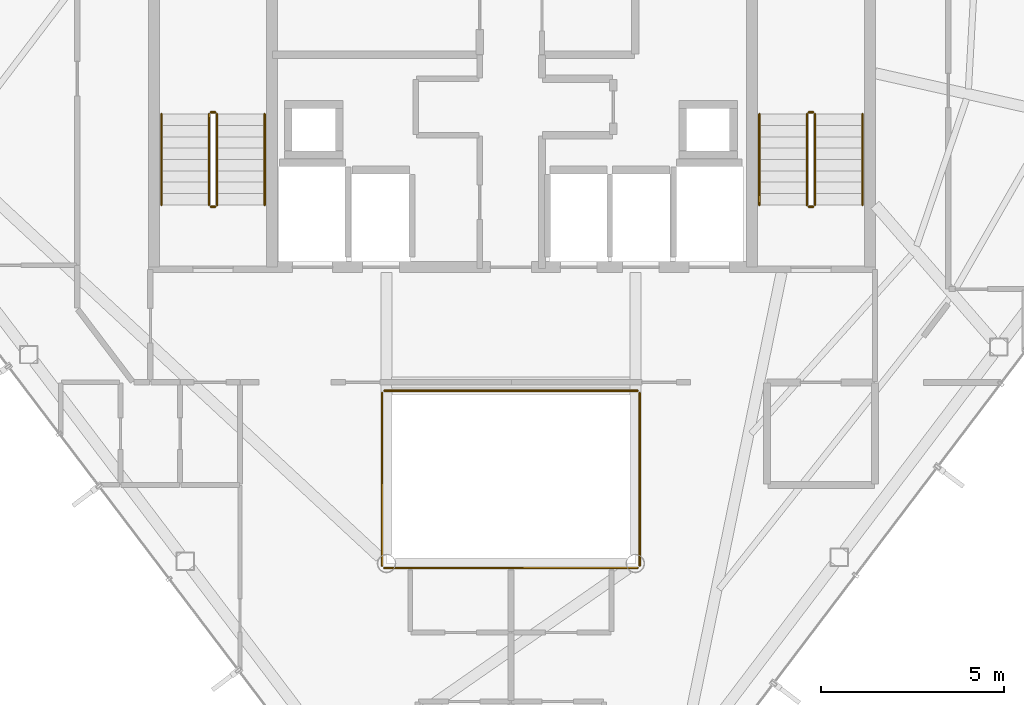
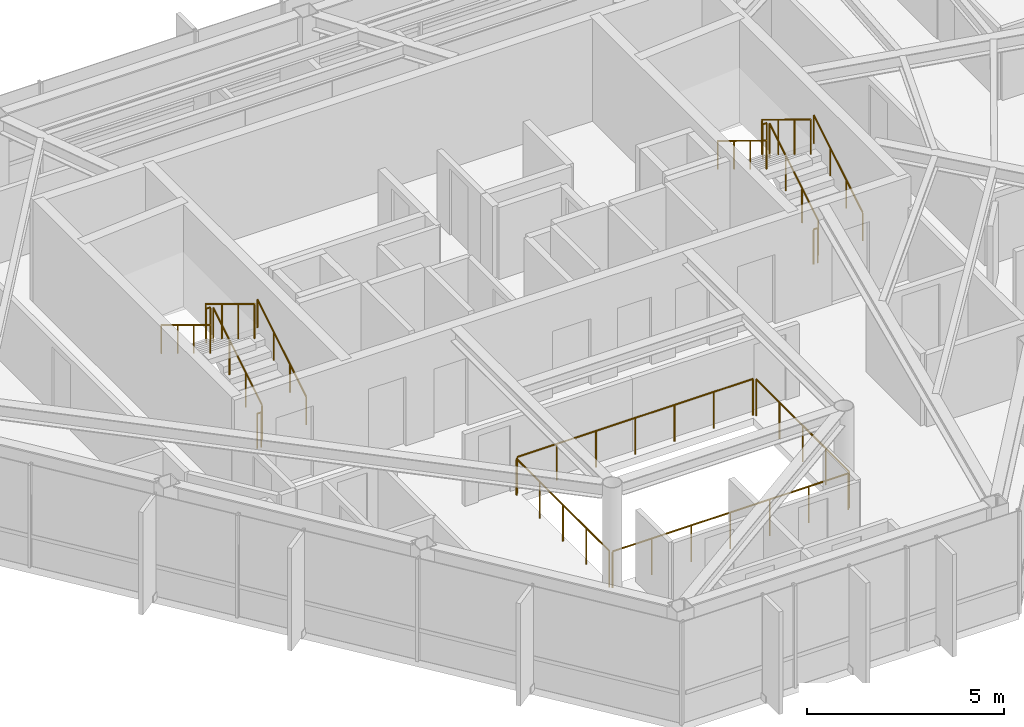
# One storey, part 25 of 25: 16 railings.
"""IFC4 building model written with IfcOpenShell, lengths in metres."""

from ifc_helpers import new_model, si_unit, direction, frame, origin, origin_2d, place, context, subcontext, project, spatial, circle, extrude, material, type_object, element, save


model = new_model("IFC4")

# Units and contexts
model_context = context("Model", 3, precision=1e-05, world=origin(), true_north=direction((0.0, 1.0)))
body_context = subcontext(model_context, "Body", "Model", "MODEL_VIEW")
ifc_project = project(units=[si_unit("LENGTHUNIT", "METRE"), si_unit("AREAUNIT", "SQUARE_METRE"), si_unit("VOLUMEUNIT", "CUBIC_METRE"), si_unit("PLANEANGLEUNIT", "RADIAN"), si_unit("MASSUNIT", "GRAM", prefix="KILO")], contexts=[model_context])

# Site, building, storey
site_placement = place(None, origin())
site = spatial("IfcSite", under=ifc_project, at=site_placement, CompositionType="ELEMENT")
building_placement = place(site_placement, origin())
building = spatial("IfcBuilding", under=site, at=building_placement, Name="Zarrinselat Tower", CompositionType="ELEMENT")
storey_placement = place(building_placement, frame((0.0, 0.0, 261.800048828125)))
storey = spatial("IfcBuildingStorey", under=building, at=storey_placement, Name="L66", CompositionType="ELEMENT", Elevation=261.800048828125)

# Railings
ifc_material_1 = material(Name="Double Low-E Laminated Solar Glass", Category="glass")
railing_type_1 = type_object("IfcRailingType", Name="RLG-ATRIUM-BAL", PredefinedType="BALUSTRADE", material=ifc_material_1)
railing_1_placement = place(storey_placement, frame((34.93994140625, 25.080078125, 0.0)))
element("IfcRailing", 1, at=railing_1_placement, inside=storey, type_object=railing_type_1, Name="L66 Atrium Void Glass Balustrade S", PredefinedType="BALUSTRADE", context=body_context, shape_type="SweptSolid", body=[
    extrude(circle(Radius=0.02392578125, at=origin_2d()), frame((0.0, 0.0, 1.1259765625), z_axis=(1.0, 0.0, 0.0), x_axis=(0.0, 1.0, 0.0)), (0.0, 0.0, 1.0), 6.920166015625),
    extrude(circle(Radius=0.02099609375, at=origin_2d()), origin(), (0.0, 0.0, 1.0), 1.099853515625),
    extrude(circle(Radius=0.02099609375, at=origin_2d()), frame((1.1533203125, 0.0, 0.0)), (0.0, 0.0, 1.0), 1.099853515625),
    extrude(circle(Radius=0.02099609375, at=origin_2d()), frame((2.306640625, 0.0, 0.0)), (0.0, 0.0, 1.0), 1.099853515625),
    extrude(circle(Radius=0.02099609375, at=origin_2d()), frame((3.4599609375, 0.0, 0.0)), (0.0, 0.0, 1.0), 1.099853515625),
    extrude(circle(Radius=0.02099609375, at=origin_2d()), frame((4.613525390625, 0.0, 0.0)), (0.0, 0.0, 1.0), 1.099853515625),
    extrude(circle(Radius=0.02099609375, at=origin_2d()), frame((5.766845703125, 0.0, 0.0)), (0.0, 0.0, 1.0), 1.099853515625),
    extrude(circle(Radius=0.02099609375, at=origin_2d()), frame((6.920166015625, 0.0, 0.0)), (0.0, 0.0, 1.0), 1.099853515625),
])
railing_2_placement = place(storey_placement, frame((41.919921875, 25.139892578125, 0.0)))
element("IfcRailing", 2, at=railing_2_placement, inside=storey, type_object=railing_type_1, Name="L66 Atrium Void Glass Balustrade E", PredefinedType="BALUSTRADE", context=body_context, shape_type="SweptSolid", body=[
    extrude(circle(Radius=0.02392578125, at=origin_2d()), frame((0.0, 0.0, 1.1259765625), z_axis=(0.0, 1.0, 0.0), x_axis=(-1.0, 0.0, 0.0)), (0.0, 0.0, 1.0), 4.72021484375),
    extrude(circle(Radius=0.02099609375, at=origin_2d()), origin(), (0.0, 0.0, 1.0), 1.099853515625),
    extrude(circle(Radius=0.02099609375, at=origin_2d()), frame((0.0, 1.18017578125, 0.0)), (0.0, 0.0, 1.0), 1.099853515625),
    extrude(circle(Radius=0.02099609375, at=origin_2d()), frame((0.0, 2.360107421875, 0.0)), (0.0, 0.0, 1.0), 1.099853515625),
    extrude(circle(Radius=0.02099609375, at=origin_2d()), frame((0.0, 3.5400390625, 0.0)), (0.0, 0.0, 1.0), 1.099853515625),
    extrude(circle(Radius=0.02099609375, at=origin_2d()), frame((0.0, 4.72021484375, 0.0)), (0.0, 0.0, 1.0), 1.099853515625),
])
railing_3_placement = place(storey_placement, frame((41.860107421875, 29.919921875, 0.0)))
element("IfcRailing", 3, at=railing_3_placement, inside=storey, type_object=railing_type_1, Name="L66 Atrium Void Glass Balustrade N", PredefinedType="BALUSTRADE", context=body_context, shape_type="SweptSolid", body=[
    extrude(circle(Radius=0.02392578125, at=origin_2d()), frame((0.0, 0.0, 1.1259765625), z_axis=(-1.0, 0.0, 0.0), x_axis=(0.0, -1.0, 0.0)), (0.0, 0.0, 1.0), 6.920166015625),
    extrude(circle(Radius=0.02099609375, at=origin_2d()), origin(), (0.0, 0.0, 1.0), 1.099853515625),
    extrude(circle(Radius=0.02099609375, at=origin_2d()), frame((-1.1533203125, 0.0, 0.0)), (0.0, 0.0, 1.0), 1.099853515625),
    extrude(circle(Radius=0.02099609375, at=origin_2d()), frame((-2.306640625, 0.0, 0.0)), (0.0, 0.0, 1.0), 1.099853515625),
    extrude(circle(Radius=0.02099609375, at=origin_2d()), frame((-3.4599609375, 0.0, 0.0)), (0.0, 0.0, 1.0), 1.099853515625),
    extrude(circle(Radius=0.02099609375, at=origin_2d()), frame((-4.613525390625, 0.0, 0.0)), (0.0, 0.0, 1.0), 1.099853515625),
    extrude(circle(Radius=0.02099609375, at=origin_2d()), frame((-5.766845703125, 0.0, 0.0)), (0.0, 0.0, 1.0), 1.099853515625),
    extrude(circle(Radius=0.02099609375, at=origin_2d()), frame((-6.920166015625, 0.0, 0.0)), (0.0, 0.0, 1.0), 1.099853515625),
])
railing_4_placement = place(storey_placement, frame((34.8798828125, 29.860107421875, 0.0)))
element("IfcRailing", 4, at=railing_4_placement, inside=storey, type_object=railing_type_1, Name="L66 Atrium Void Glass Balustrade W", PredefinedType="BALUSTRADE", context=body_context, shape_type="SweptSolid", body=[
    extrude(circle(Radius=0.02392578125, at=origin_2d()), frame((0.0, 0.0, 1.1259765625), z_axis=(0.0, -1.0, 0.0), x_axis=(1.0, 0.0, 0.0)), (0.0, 0.0, 1.0), 4.72021484375),
    extrude(circle(Radius=0.02099609375, at=origin_2d()), origin(), (0.0, 0.0, 1.0), 1.099853515625),
    extrude(circle(Radius=0.02099609375, at=origin_2d()), frame((0.0, -1.18017578125, 0.0)), (0.0, 0.0, 1.0), 1.099853515625),
    extrude(circle(Radius=0.02099609375, at=origin_2d()), frame((0.0, -2.360107421875, 0.0)), (0.0, 0.0, 1.0), 1.099853515625),
    extrude(circle(Radius=0.02099609375, at=origin_2d()), frame((0.0, -3.5400390625, 0.0)), (0.0, 0.0, 1.0), 1.099853515625),
    extrude(circle(Radius=0.02099609375, at=origin_2d()), frame((0.0, -4.72021484375, 0.0)), (0.0, 0.0, 1.0), 1.099853515625),
])
ifc_material_2 = material(Name="Steel S355J2", Category="steel")
railing_type_2 = type_object("IfcRailingType", Name="RLG-STAIR-GUARD", PredefinedType="GUARDRAIL", material=ifc_material_2)
railing_5_placement = place(storey_placement, frame((30.3701171875, 35.0, 0.188720703125)))
element("IfcRailing", 5, at=railing_5_placement, inside=storey, type_object=railing_type_2, Name="L66 ST-1 stair guard 1", PredefinedType="GUARDRAIL", context=body_context, shape_type="SweptSolid", body=[
    extrude(circle(Radius=0.02392578125, at=origin_2d()), frame((0.0, 0.0, 1.076171875), z_axis=(0.0, 0.853941963558, 0.520368256982), x_axis=(-1.0, 0.0, 0.0)), (0.0, 0.0, 1.0), 2.904052734375),
    extrude(circle(Radius=0.02099609375, at=origin_2d()), origin(), (0.0, 0.0, 1.0), 1.050048828125),
    extrude(circle(Radius=0.02099609375, at=origin_2d()), frame((0.0, 0.82666015625, 0.503662109375)), (0.0, 0.0, 1.0), 1.050048828125),
    extrude(circle(Radius=0.02099609375, at=origin_2d()), frame((0.0, 1.6533203125, 1.007568359375)), (0.0, 0.0, 1.0), 1.050048828125),
    extrude(circle(Radius=0.02099609375, at=origin_2d()), frame((0.0, 2.47998046875, 1.51123046875)), (0.0, 0.0, 1.0), 1.050048828125),
])
railing_6_placement = place(storey_placement, frame((30.320068359375, 37.530029296875, 1.699951171875)))
element("IfcRailing", 6, at=railing_6_placement, inside=storey, type_object=railing_type_2, Name="L66 ST-1 stair guard 2", PredefinedType="GUARDRAIL", context=body_context, shape_type="SweptSolid", body=[
    extrude(circle(Radius=0.02392578125, at=origin_2d()), frame((0.0, 0.0, 1.076171875), z_axis=(-1.0, 0.0, 0.0), x_axis=(0.0, -1.0, 0.0)), (0.0, 0.0, 1.0), 0.1201171875),
    extrude(circle(Radius=0.02099609375, at=origin_2d()), origin(), (0.0, 0.0, 1.0), 1.050048828125),
    extrude(circle(Radius=0.02099609375, at=origin_2d()), frame((-0.1201171875, 0.0, 0.0)), (0.0, 0.0, 1.0), 1.050048828125),
])
railing_7_placement = place(storey_placement, frame((30.14990234375, 37.47998046875, 1.888916015625)))
element("IfcRailing", 7, at=railing_7_placement, inside=storey, type_object=railing_type_2, Name="L66 ST-1 stair guard 3", PredefinedType="GUARDRAIL", context=body_context, shape_type="SweptSolid", body=[
    extrude(circle(Radius=0.02392578125, at=origin_2d()), frame((0.0, 0.0, 1.076171875), z_axis=(0.0, -0.8539793189, 0.520306950647), x_axis=(1.0, 0.0, 0.0)), (0.0, 0.0, 1.0), 2.904052734375),
    extrude(circle(Radius=0.02099609375, at=origin_2d()), origin(), (0.0, 0.0, 1.0), 1.050048828125),
    extrude(circle(Radius=0.02099609375, at=origin_2d()), frame((0.0, -0.82666015625, 0.503662109375)), (0.0, 0.0, 1.0), 1.050048828125),
    extrude(circle(Radius=0.02099609375, at=origin_2d()), frame((0.0, -1.6533203125, 1.00732421875)), (0.0, 0.0, 1.0), 1.050048828125),
    extrude(circle(Radius=0.02099609375, at=origin_2d()), frame((0.0, -2.47998046875, 1.510986328125)), (0.0, 0.0, 1.0), 1.050048828125),
])
railing_8_placement = place(storey_placement, frame((30.320068359375, 34.949951171875, 0.0)))
element("IfcRailing", 8, at=railing_8_placement, inside=storey, type_object=railing_type_2, Name="L66 ST-1 stair guard 4", PredefinedType="GUARDRAIL", context=body_context, shape_type="SweptSolid", body=[
    extrude(circle(Radius=0.02392578125, at=origin_2d()), frame((0.0, 0.0, 1.076171875), z_axis=(-1.0, 0.0, 0.0), x_axis=(0.0, -1.0, 0.0)), (0.0, 0.0, 1.0), 0.1201171875),
    extrude(circle(Radius=0.02099609375, at=origin_2d()), origin(), (0.0, 0.0, 1.0), 1.050048828125),
    extrude(circle(Radius=0.02099609375, at=origin_2d()), frame((-0.1201171875, 0.0, 0.0)), (0.0, 0.0, 1.0), 1.050048828125),
])
railing_9_placement = place(storey_placement, frame((46.7099609375, 35.0, 0.188720703125)))
element("IfcRailing", 9, at=railing_9_placement, inside=storey, type_object=railing_type_2, Name="L66 ST-2 stair guard 1", PredefinedType="GUARDRAIL", context=body_context, shape_type="SweptSolid", body=[
    extrude(circle(Radius=0.02392578125, at=origin_2d()), frame((0.0, 0.0, 1.076171875), z_axis=(0.0, 0.853941963558, 0.520368256982), x_axis=(-1.0, 0.0, 0.0)), (0.0, 0.0, 1.0), 2.904052734375),
    extrude(circle(Radius=0.02099609375, at=origin_2d()), origin(), (0.0, 0.0, 1.0), 1.050048828125),
    extrude(circle(Radius=0.02099609375, at=origin_2d()), frame((0.0, 0.82666015625, 0.503662109375)), (0.0, 0.0, 1.0), 1.050048828125),
    extrude(circle(Radius=0.02099609375, at=origin_2d()), frame((0.0, 1.6533203125, 1.007568359375)), (0.0, 0.0, 1.0), 1.050048828125),
    extrude(circle(Radius=0.02099609375, at=origin_2d()), frame((0.0, 2.47998046875, 1.51123046875)), (0.0, 0.0, 1.0), 1.050048828125),
])
railing_10_placement = place(storey_placement, frame((46.659912109375, 37.530029296875, 1.699951171875)))
element("IfcRailing", 10, at=railing_10_placement, inside=storey, type_object=railing_type_2, Name="L66 ST-2 stair guard 2", PredefinedType="GUARDRAIL", context=body_context, shape_type="SweptSolid", body=[
    extrude(circle(Radius=0.02392578125, at=origin_2d()), frame((0.0, 0.0, 1.076171875), z_axis=(-1.0, 0.0, 0.0), x_axis=(0.0, -1.0, 0.0)), (0.0, 0.0, 1.0), 0.119873046875),
    extrude(circle(Radius=0.02099609375, at=origin_2d()), origin(), (0.0, 0.0, 1.0), 1.050048828125),
    extrude(circle(Radius=0.02099609375, at=origin_2d()), frame((-0.119873046875, 0.0, 0.0)), (0.0, 0.0, 1.0), 1.050048828125),
])
railing_11_placement = place(storey_placement, frame((46.489990234375, 37.47998046875, 1.888916015625)))
element("IfcRailing", 11, at=railing_11_placement, inside=storey, type_object=railing_type_2, Name="L66 ST-2 stair guard 3", PredefinedType="GUARDRAIL", context=body_context, shape_type="SweptSolid", body=[
    extrude(circle(Radius=0.02392578125, at=origin_2d()), frame((0.0, 0.0, 1.076171875), z_axis=(0.0, -0.8539793189, 0.520306950647), x_axis=(1.0, 0.0, 0.0)), (0.0, 0.0, 1.0), 2.904052734375),
    extrude(circle(Radius=0.02099609375, at=origin_2d()), origin(), (0.0, 0.0, 1.0), 1.050048828125),
    extrude(circle(Radius=0.02099609375, at=origin_2d()), frame((0.0, -0.82666015625, 0.503662109375)), (0.0, 0.0, 1.0), 1.050048828125),
    extrude(circle(Radius=0.02099609375, at=origin_2d()), frame((0.0, -1.6533203125, 1.00732421875)), (0.0, 0.0, 1.0), 1.050048828125),
    extrude(circle(Radius=0.02099609375, at=origin_2d()), frame((0.0, -2.47998046875, 1.510986328125)), (0.0, 0.0, 1.0), 1.050048828125),
])
railing_12_placement = place(storey_placement, frame((46.659912109375, 34.949951171875, 0.0)))
element("IfcRailing", 12, at=railing_12_placement, inside=storey, type_object=railing_type_2, Name="L66 ST-2 stair guard 4", PredefinedType="GUARDRAIL", context=body_context, shape_type="SweptSolid", body=[
    extrude(circle(Radius=0.02392578125, at=origin_2d()), frame((0.0, 0.0, 1.076171875), z_axis=(-1.0, 0.0, 0.0), x_axis=(0.0, -1.0, 0.0)), (0.0, 0.0, 1.0), 0.119873046875),
    extrude(circle(Radius=0.02099609375, at=origin_2d()), origin(), (0.0, 0.0, 1.0), 1.050048828125),
    extrude(circle(Radius=0.02099609375, at=origin_2d()), frame((-0.119873046875, 0.0, 0.0)), (0.0, 0.0, 1.0), 1.050048828125),
])
ifc_material_3 = material(Name="Steel S355J2", Category="steel")
railing_type_3 = type_object("IfcRailingType", Name="RLG-STAIR-HAND", PredefinedType="HANDRAIL", material=ifc_material_3)
railing_13_placement = place(storey_placement, frame((31.669921875, 35.0, 0.188720703125)))
element("IfcRailing", 13, at=railing_13_placement, inside=storey, type_object=railing_type_3, Name="L66 ST-1 stair handrail 1", PredefinedType="HANDRAIL", context=body_context, shape_type="SweptSolid", body=[
    extrude(circle(Radius=0.02392578125, at=origin_2d()), frame((0.0, 0.0, 0.8759765625), z_axis=(0.0, 0.853941963558, 0.520368256982), x_axis=(-1.0, 0.0, 0.0)), (0.0, 0.0, 1.0), 2.904052734375),
    extrude(circle(Radius=0.02099609375, at=origin_2d()), origin(), (0.0, 0.0, 1.0), 0.849853515625),
    extrude(circle(Radius=0.02099609375, at=origin_2d()), frame((0.0, 0.82666015625, 0.503662109375)), (0.0, 0.0, 1.0), 0.849853515625),
    extrude(circle(Radius=0.02099609375, at=origin_2d()), frame((0.0, 1.6533203125, 1.007568359375)), (0.0, 0.0, 1.0), 0.849853515625),
    extrude(circle(Radius=0.02099609375, at=origin_2d()), frame((0.0, 2.47998046875, 1.51123046875)), (0.0, 0.0, 1.0), 0.849853515625),
])
railing_14_placement = place(storey_placement, frame((28.85009765625, 37.47998046875, 1.888916015625)))
element("IfcRailing", 14, at=railing_14_placement, inside=storey, type_object=railing_type_3, Name="L66 ST-1 stair handrail 2", PredefinedType="HANDRAIL", context=body_context, shape_type="SweptSolid", body=[
    extrude(circle(Radius=0.02392578125, at=origin_2d()), frame((0.0, 0.0, 0.8759765625), z_axis=(0.0, -0.8539793189, 0.520306950647), x_axis=(1.0, 0.0, 0.0)), (0.0, 0.0, 1.0), 2.904052734375),
    extrude(circle(Radius=0.02099609375, at=origin_2d()), origin(), (0.0, 0.0, 1.0), 0.849853515625),
    extrude(circle(Radius=0.02099609375, at=origin_2d()), frame((0.0, -0.82666015625, 0.503662109375)), (0.0, 0.0, 1.0), 0.849853515625),
    extrude(circle(Radius=0.02099609375, at=origin_2d()), frame((0.0, -1.6533203125, 1.00732421875)), (0.0, 0.0, 1.0), 0.849853515625),
    extrude(circle(Radius=0.02099609375, at=origin_2d()), frame((0.0, -2.47998046875, 1.510986328125)), (0.0, 0.0, 1.0), 0.849853515625),
])
railing_15_placement = place(storey_placement, frame((48.010009765625, 35.0, 0.188720703125)))
element("IfcRailing", 15, at=railing_15_placement, inside=storey, type_object=railing_type_3, Name="L66 ST-2 stair handrail 1", PredefinedType="HANDRAIL", context=body_context, shape_type="SweptSolid", body=[
    extrude(circle(Radius=0.02392578125, at=origin_2d()), frame((0.0, 0.0, 0.8759765625), z_axis=(0.0, 0.853941963558, 0.520368256982), x_axis=(-1.0, 0.0, 0.0)), (0.0, 0.0, 1.0), 2.904052734375),
    extrude(circle(Radius=0.02099609375, at=origin_2d()), origin(), (0.0, 0.0, 1.0), 0.849853515625),
    extrude(circle(Radius=0.02099609375, at=origin_2d()), frame((0.0, 0.82666015625, 0.503662109375)), (0.0, 0.0, 1.0), 0.849853515625),
    extrude(circle(Radius=0.02099609375, at=origin_2d()), frame((0.0, 1.6533203125, 1.007568359375)), (0.0, 0.0, 1.0), 0.849853515625),
    extrude(circle(Radius=0.02099609375, at=origin_2d()), frame((0.0, 2.47998046875, 1.51123046875)), (0.0, 0.0, 1.0), 0.849853515625),
])
railing_16_placement = place(storey_placement, frame((45.18994140625, 37.47998046875, 1.888916015625)))
element("IfcRailing", 16, at=railing_16_placement, inside=storey, type_object=railing_type_3, Name="L66 ST-2 stair handrail 2", PredefinedType="HANDRAIL", context=body_context, shape_type="SweptSolid", body=[
    extrude(circle(Radius=0.02392578125, at=origin_2d()), frame((0.0, 0.0, 0.8759765625), z_axis=(0.0, -0.8539793189, 0.520306950647), x_axis=(1.0, 0.0, 0.0)), (0.0, 0.0, 1.0), 2.904052734375),
    extrude(circle(Radius=0.02099609375, at=origin_2d()), origin(), (0.0, 0.0, 1.0), 0.849853515625),
    extrude(circle(Radius=0.02099609375, at=origin_2d()), frame((0.0, -0.82666015625, 0.503662109375)), (0.0, 0.0, 1.0), 0.849853515625),
    extrude(circle(Radius=0.02099609375, at=origin_2d()), frame((0.0, -1.6533203125, 1.00732421875)), (0.0, 0.0, 1.0), 0.849853515625),
    extrude(circle(Radius=0.02099609375, at=origin_2d()), frame((0.0, -2.47998046875, 1.510986328125)), (0.0, 0.0, 1.0), 0.849853515625),
])

save(model, "model.ifc")
